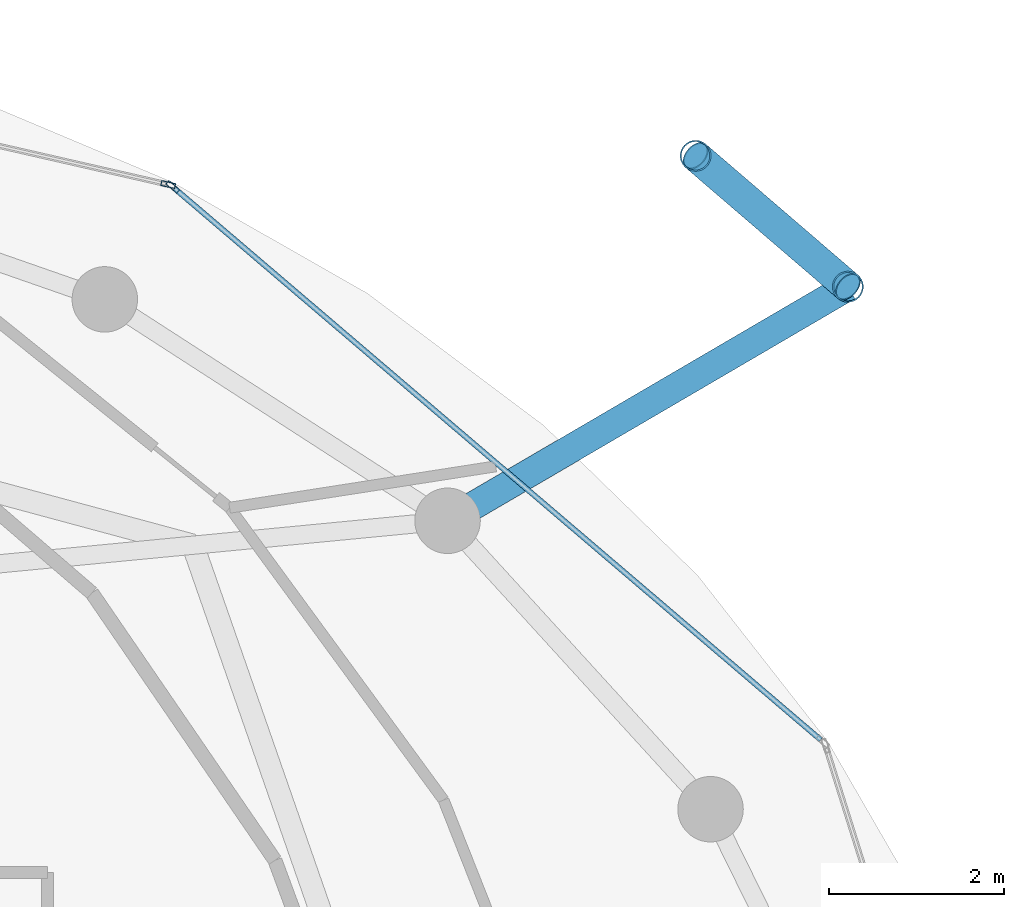
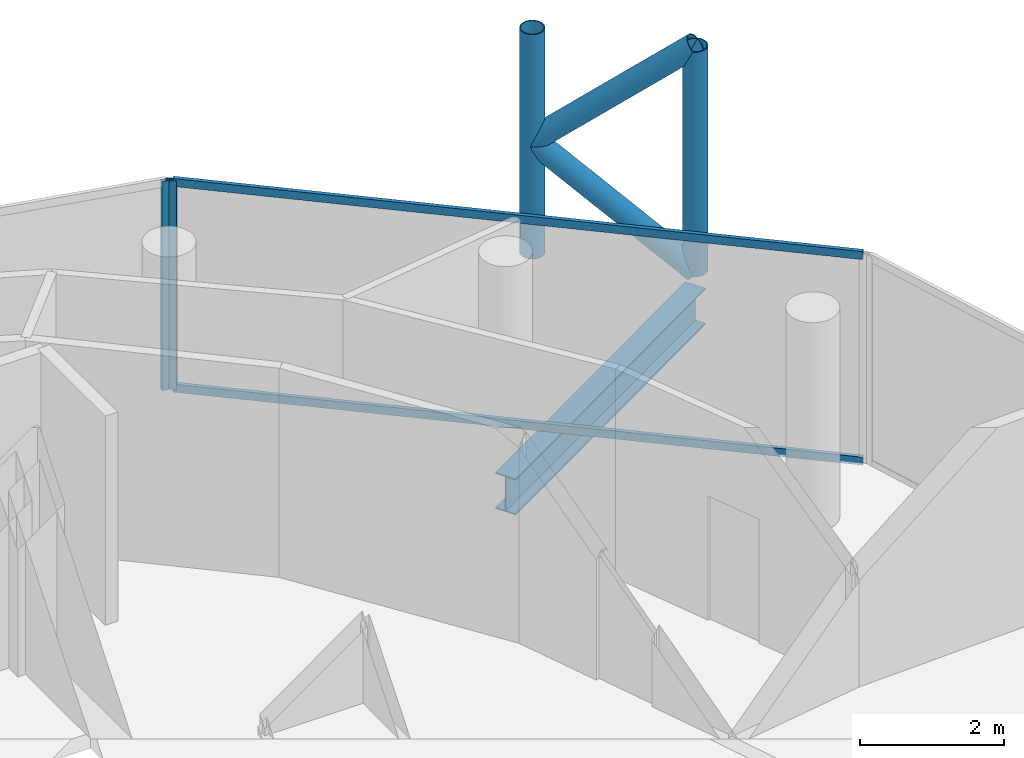
# One storey, part 18 of 24: 8 members, 1 beam, 2 elements without a shape of their own.
"""IFC4 building model written with IfcOpenShell, lengths in metres."""

from ifc_helpers import new_model, si_unit, direction, frame, origin, origin_2d, place, context, subcontext, project, spatial, hollow_rectangle, hollow_circle, i_section, extrude, material, layer, layer_set, material_profile, profile_set, type_object, element, aggregate, save


model = new_model("IFC4")

# Units and contexts
model_context = context("Model", 3, precision=1e-05, world=origin(), true_north=direction((0.0, 1.0)))
body_context = subcontext(model_context, "Body", "Model", "MODEL_VIEW")
ifc_project = project(units=[si_unit("LENGTHUNIT", "METRE"), si_unit("AREAUNIT", "SQUARE_METRE"), si_unit("VOLUMEUNIT", "CUBIC_METRE"), si_unit("PLANEANGLEUNIT", "RADIAN"), si_unit("MASSUNIT", "GRAM", prefix="KILO")], contexts=[model_context])

# Site, building, storey
site_placement = place(None, origin())
site = spatial("IfcSite", under=ifc_project, at=site_placement, CompositionType="ELEMENT")
building_placement = place(site_placement, origin())
building = spatial("IfcBuilding", under=site, at=building_placement, Name="Nuhasar Tower", CompositionType="ELEMENT")
storey_placement = place(building_placement, frame((0.0, 0.0, 293.60009765625)))
storey = spatial("IfcBuildingStorey", under=building, at=storey_placement, Name="L73", CompositionType="ELEMENT", Elevation=293.60009765625)

# Beam
ifc_material_1 = material(Name="Steel S355", Category="steel")
ifc_material_profile_1 = material_profile(ifc_material_1, i_section(OverallWidth=0.323974609375, OverallDepth=0.611083984375, WebThickness=0.0126953125, FlangeThickness=0.01904296875, at=origin_2d()), Name="W24X104")
ifc_profile_set_1 = profile_set([ifc_material_profile_1], Name="Steel S355")
beam_type = type_object("IfcBeamType", Name="BM-TIE-W24X104", PredefinedType="BEAM", material=ifc_profile_set_1)
beam_placement = place(storey_placement, frame((52.39990234375, 38.077880859375, -0.566162109375), z_axis=(0.863271521286, 0.504739814693, 0.0), x_axis=(-0.504739814693, 0.863271521286, 0.0)))
element("IfcBeam", 1, at=beam_placement, inside=storey, type_object=beam_type, Name="L73 Exoskeleton Node Tie Beam 02", PredefinedType="BEAM", context=body_context, shape_type="SweptSolid", body=[
    extrude(i_section(OverallWidth=0.323974609375, OverallDepth=0.611083984375, WebThickness=0.0126953125, FlangeThickness=0.01904296875, at=origin_2d()), origin(), (0.0, 0.0, 1.0), 5.31005859375),
])

# Curtain wall, member
ifc_material_2 = material(Name="Aluminium 6063-T6", Category="aluminium")
ifc_layer = layer(ifc_material_2, 0.18994140625)
ifc_layer_set = layer_set([ifc_layer], Name="Aluminium 6063-T6")
curtain_wall_type = type_object("IfcCurtainWallType", Name="CW-Z4-PEN", PredefinedType="NOTDEFINED", material=ifc_layer_set)
curtain_wall_1_placement = place(storey_placement, origin())
curtain_wall_1 = element("IfcCurtainWall", 2, at=curtain_wall_1_placement, inside=storey, type_object=curtain_wall_type, Name="L73 Unitised Curtain Wall 02", PredefinedType="NOTDEFINED")
ifc_material_profile_2 = material_profile(ifc_material_2, hollow_rectangle(XDim=0.06005859375, YDim=0.1650390625, WallThickness=0.0048828125, at=origin_2d()), Name="CWM-5")
ifc_profile_set_2 = profile_set([ifc_material_profile_2], Name="Aluminium 6063-T6")
member_type_1 = type_object("IfcMemberType", Name="CW-MUL-S5", PredefinedType="MULLION", material=ifc_profile_set_2)
member_1_placement = place(storey_placement, frame((49.2529296875, 41.901611328125, 0.0), z_axis=(0.0, 0.0, 1.0), x_axis=(-0.649141996205, -0.760667252327, 0.0)))
member_1 = element("IfcMember", 3, at=member_1_placement, type_object=member_type_1, Name="CW-Z4 mullion 2", PredefinedType="MULLION", context=body_context, shape_type="SweptSolid", body=[
    extrude(hollow_rectangle(XDim=0.06005859375, YDim=0.1650390625, WallThickness=0.0048828125, at=origin_2d()), origin(), (0.0, 0.0, 1.0), 3.539794921875),
])

curtain_wall_2_placement = place(storey_placement, origin())
curtain_wall_2 = element("IfcCurtainWall", 4, at=curtain_wall_2_placement, inside=storey, type_object=curtain_wall_type, Name="L73 Unitised Curtain Wall 03", PredefinedType="NOTDEFINED")
member_2_placement = place(storey_placement, frame((49.20068359375, 41.927734375, 0.0), z_axis=(0.0, 0.0, 1.0), x_axis=(-0.222889487645, -0.97484371891, 0.0)))
member_2 = element("IfcMember", 5, at=member_2_placement, type_object=member_type_1, Name="CW-Z4 mullion 1", PredefinedType="MULLION", context=body_context, shape_type="SweptSolid", body=[
    extrude(hollow_rectangle(XDim=0.06005859375, YDim=0.1650390625, WallThickness=0.0048828125, at=origin_2d()), origin(), (0.0, 0.0, 1.0), 3.539794921875),
])
aggregate(curtain_wall_2, [member_2])

# Member
ifc_material_profile_3 = material_profile(ifc_material_2, hollow_rectangle(XDim=0.06005859375, YDim=0.135009765625, WallThickness=0.00439453125, at=origin_2d()), Name="CWT-5")
ifc_profile_set_3 = profile_set([ifc_material_profile_3], Name="Aluminium 6063-T6")
member_type_2 = type_object("IfcMemberType", Name="CW-TRN-S5", PredefinedType="USERDEFINED", material=ifc_profile_set_3)
member_3_placement = place(storey_placement, frame((56.67333984375, 35.56884765625, 0.02978515625), z_axis=(-0.760660035709, 0.649150452573, 0.0), x_axis=(-0.649150452573, -0.760660035709, 0.0)))
member_3 = element("IfcMember", 6, at=member_3_placement, type_object=member_type_2, Name="CW-Z4 transom 1.1", ObjectType="TRANSOM", PredefinedType="USERDEFINED", context=body_context, shape_type="SweptSolid", body=[
    extrude(hollow_rectangle(XDim=0.06005859375, YDim=0.135009765625, WallThickness=0.00439453125, at=origin_2d()), origin(), (0.0, 0.0, 1.0), 9.725341796875),
])

member_4_placement = place(storey_placement, frame((56.67333984375, 35.56884765625, 3.510009765625), z_axis=(-0.760660035709, 0.649150452573, 0.0), x_axis=(-0.649150452573, -0.760660035709, 0.0)))
member_4 = element("IfcMember", 7, at=member_4_placement, type_object=member_type_2, Name="CW-Z4 transom 1.2", ObjectType="TRANSOM", PredefinedType="USERDEFINED", context=body_context, shape_type="SweptSolid", body=[
    extrude(hollow_rectangle(XDim=0.06005859375, YDim=0.135009765625, WallThickness=0.00439453125, at=origin_2d()), origin(), (0.0, 0.0, 1.0), 9.725341796875),
])

aggregate(curtain_wall_1, [member_1, member_3, member_4])

# Members
ifc_material_3 = material(Name="Steel S460", Category="steel")
ifc_material_profile_4 = material_profile(ifc_material_3, hollow_circle(Radius=0.177734375, WallThickness=0.015869140625, at=origin_2d()), Name="HSS355.6X15.9")
ifc_profile_set_4 = profile_set([ifc_material_profile_4], Name="Steel S460")
member_type_3 = type_object("IfcMemberType", Name="EXO-BRONZE-356", PredefinedType="BRACE", material=ifc_profile_set_4)
for number, where, z_axis, x_axis, name in (
    (8, (56.98388671875, 40.758056640625, 0.0), (0.0, 0.0, 1.0), (1.0, 0.0, 0.0), "L73 Exoskeleton Chord Column EC-02A"),
    (9, (55.239990234375, 42.257080078125, 0.0), (0.0, 0.0, 1.0), (1.0, 0.0, 0.0), "L73 Exoskeleton Chord Column EC-02B"),
):
    element("IfcMember", number, at=place(storey_placement, frame(where, z_axis=z_axis, x_axis=x_axis)), inside=storey, type_object=member_type_3, Name=name, PredefinedType="BRACE", context=body_context, shape_type="SweptSolid", body=[
        extrude(hollow_circle(Radius=0.177734375, WallThickness=0.015869140625, at=origin_2d()), origin(), (0.0, 0.0, 1.0), 3.7998046875),
    ])
for number, where, z_axis, x_axis, name in (
    (10, (56.98388671875, 40.758056640625, 0.0), (-0.584625223306, 0.502533791278, 0.636924749792), (-0.65185738425, -0.758341579104, 0.0), "L73 Bronze Diagrid Brace W1-02"),
    (11, (55.239990234375, 42.257080078125, 1.89990234375), (0.584625223306, -0.502533791278, 0.636924749792), (0.65185738425, 0.758341579104, 0.0), "L73 Bronze Diagrid Brace W2-02"),
):
    element("IfcMember", number, at=place(storey_placement, frame(where, z_axis=z_axis, x_axis=x_axis)), inside=storey, type_object=member_type_3, Name=name, PredefinedType="BRACE", context=body_context, shape_type="SweptSolid", body=[
        extrude(hollow_circle(Radius=0.177734375, WallThickness=0.015869140625, at=origin_2d()), origin(), (0.0, 0.0, 1.0), 2.98291015625),
    ])

save(model, "model.ifc")
